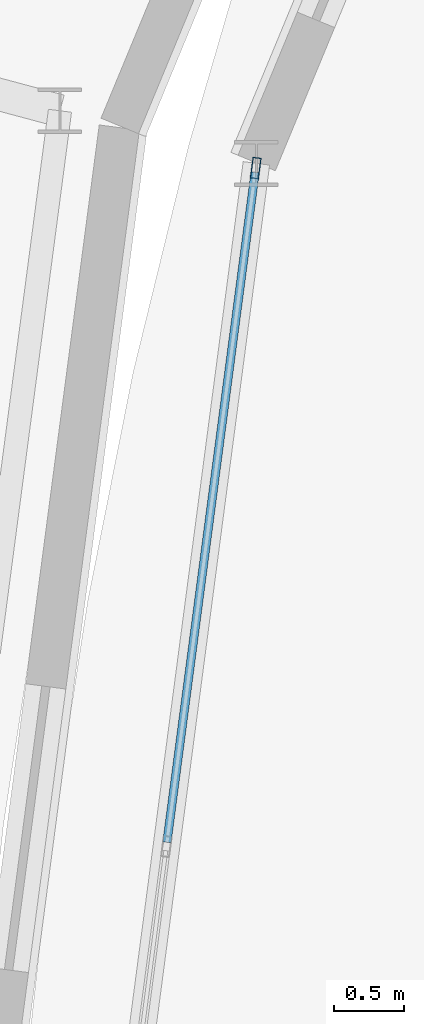
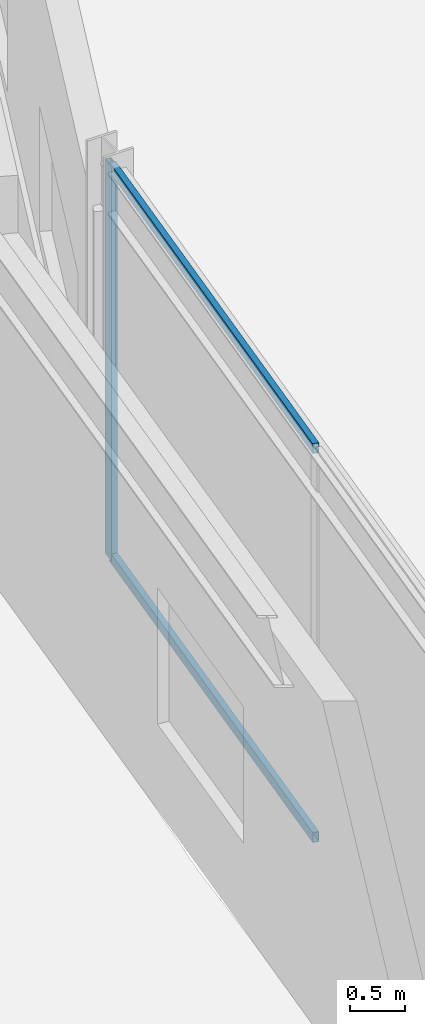
# One storey, part 35 of 133: 3 members, 1 element without a shape of its own.
"""IFC4 building model written with IfcOpenShell, lengths in metres."""

from ifc_helpers import new_model, si_unit, direction, frame, origin, origin_2d, place, context, subcontext, project, spatial, hollow_rectangle, extrude, material, material_profile, profile_set, type_object, element, aggregate, save


model = new_model("IFC4")

# Units and contexts
model_context = context("Model", 3, precision=1e-05, world=origin(), true_north=direction((0.0, 1.0)))
body_context = subcontext(model_context, "Body", "Model", "MODEL_VIEW")
ifc_project = project(units=[si_unit("LENGTHUNIT", "METRE"), si_unit("AREAUNIT", "SQUARE_METRE"), si_unit("VOLUMEUNIT", "CUBIC_METRE"), si_unit("PLANEANGLEUNIT", "RADIAN"), si_unit("MASSUNIT", "GRAM", prefix="KILO")], contexts=[model_context])

# Site, building, storey
site_placement = place(None, origin())
site = spatial("IfcSite", under=ifc_project, at=site_placement, CompositionType="ELEMENT")
building_placement = place(site_placement, origin())
building = spatial("IfcBuilding", under=site, at=building_placement, Name="Almandine Court Research Institute", CompositionType="ELEMENT")
storey_placement = place(building_placement, frame((0.0, 0.0, 9.800048828125)))
storey = spatial("IfcBuildingStorey", under=building, at=storey_placement, Name="L02", CompositionType="ELEMENT", Elevation=9.800048828125)

# Curtain wall, members
ifc_material_1 = material(Name="Unitised Curtain Wall Framing and Solar Glazing", Category="glass")
curtain_wall_type = type_object("IfcCurtainWallType", Name="CW-CWG-24", PredefinedType="USERDEFINED", material=ifc_material_1)
curtain_wall_placement = place(storey_placement, origin())
curtain_wall = element("IfcCurtainWall", 1, at=curtain_wall_placement, inside=storey, type_object=curtain_wall_type, Name="L02 Interaction Atrium Perimeter Curtain Wall 11", ObjectType="UNITISED GLAZING", PredefinedType="USERDEFINED")
ifc_material_2 = material(Name="Anodised Aluminium AW-6063-T6", Category="aluminium")
ifc_material_profile_1 = material_profile(ifc_material_2, hollow_rectangle(XDim=0.06005859375, YDim=0.14990234375, WallThickness=0.00390625, at=origin_2d()), Name="ALU RHS 60x150x4")
ifc_profile_set_1 = profile_set([ifc_material_profile_1], Name="Anodised Aluminium AW-6063-T6")
member_type_1 = type_object("IfcMemberType", Name="CWMul-60x150", PredefinedType="MULLION", material=ifc_profile_set_1)
member_1_placement = place(storey_placement, frame((50.628173828125, 65.711181640625, 0.0), z_axis=(0.0, 0.0, 1.0), x_axis=(-0.991443548509, 0.130536164028, 0.0)))
member_1 = element("IfcMember", 2, at=member_1_placement, type_object=member_type_1, Name="CWG-24 mullion 3", PredefinedType="MULLION", context=body_context, shape_type="SweptSolid", body=[
    extrude(hollow_rectangle(XDim=0.06005859375, YDim=0.14990234375, WallThickness=0.00390625, at=origin_2d()), origin(), (0.0, 0.0, 1.0), 4.369873046875),
])
ifc_material_profile_2 = material_profile(ifc_material_2, hollow_rectangle(XDim=0.06005859375, YDim=0.110107421875, WallThickness=0.00390625, at=origin_2d()), Name="ALU RHS 60x110x4")
ifc_profile_set_2 = profile_set([ifc_material_profile_2], Name="Anodised Aluminium AW-6063-T6")
member_type_2 = type_object("IfcMemberType", Name="CWTrn-60x110", PredefinedType="NOTDEFINED", material=ifc_profile_set_2)
member_2_placement = place(storey_placement, frame((49.994873046875, 60.90234375, 0.030029296875), z_axis=(0.130571116357, 0.991438945963, 0.0), x_axis=(-0.991438945963, 0.130571116357, 0.0)))
member_2 = element("IfcMember", 3, at=member_2_placement, type_object=member_type_2, Name="CWG-24 transom 2.1", ObjectType="TRANSOM", PredefinedType="USERDEFINED", context=body_context, shape_type="SweptSolid", body=[
    extrude(hollow_rectangle(XDim=0.06005859375, YDim=0.110107421875, WallThickness=0.00390625, at=origin_2d()), origin(), (0.0, 0.0, 1.0), 4.8203125),
])
member_3_placement = place(storey_placement, frame((49.994873046875, 60.90234375, 4.33984375), z_axis=(0.130571116357, 0.991438945963, 0.0), x_axis=(-0.991438945963, 0.130571116357, 0.0)))
member_3 = element("IfcMember", 4, at=member_3_placement, type_object=member_type_2, Name="CWG-24 transom 2.2", ObjectType="TRANSOM", PredefinedType="USERDEFINED", context=body_context, shape_type="SweptSolid", body=[
    extrude(hollow_rectangle(XDim=0.06005859375, YDim=0.110107421875, WallThickness=0.00390625, at=origin_2d()), origin(), (0.0, 0.0, 1.0), 4.8203125),
])
aggregate(curtain_wall, [member_1, member_2, member_3])

save(model, "model.ifc")
